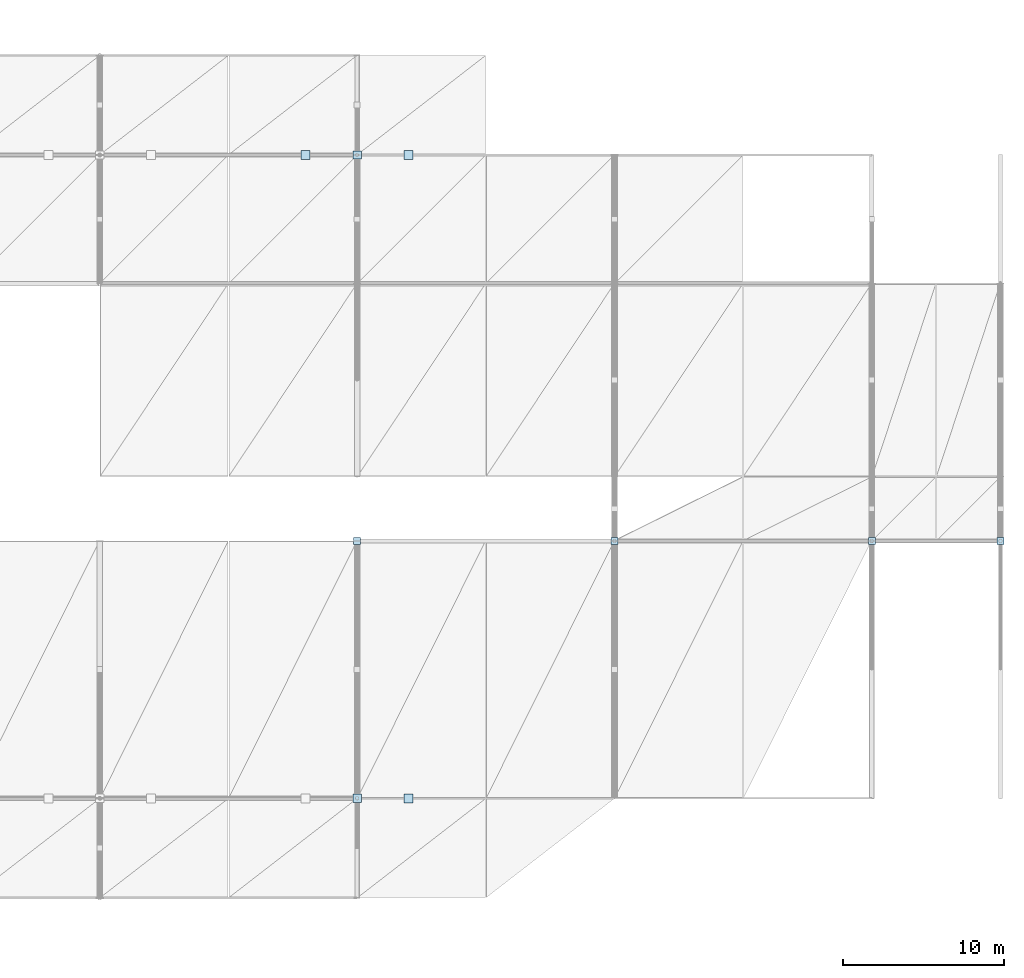
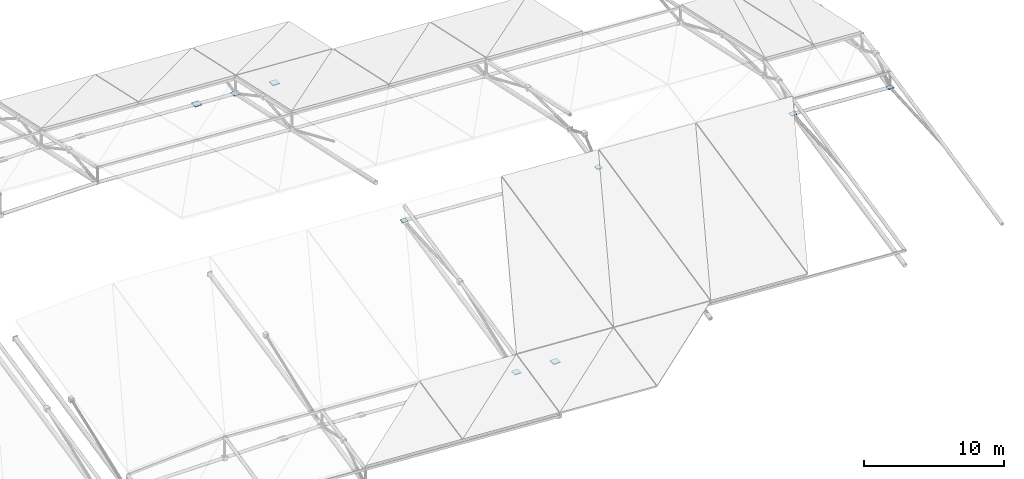
# One storey, part 43 of 67: 9 plates.
"""IFC4 building model written with IfcOpenShell, lengths in metres."""

from ifc_helpers import new_model, si_unit, direction, frame, origin, origin_2d, place, context, subcontext, project, spatial, rectangle, extrude, material, layer, layer_set, type_object, element, save


model = new_model("IFC4")

# Units and contexts
model_context = context("Model", 3, precision=1e-05, world=origin(), true_north=direction((0.0, 1.0)))
body_context = subcontext(model_context, "Body", "Model", "MODEL_VIEW")
ifc_project = project(units=[si_unit("LENGTHUNIT", "METRE"), si_unit("AREAUNIT", "SQUARE_METRE"), si_unit("VOLUMEUNIT", "CUBIC_METRE"), si_unit("PLANEANGLEUNIT", "RADIAN"), si_unit("MASSUNIT", "GRAM", prefix="KILO")], contexts=[model_context])

# Site, building, storey
site_placement = place(None, origin())
site = spatial("IfcSite", under=ifc_project, at=site_placement, CompositionType="ELEMENT")
building_placement = place(site_placement, origin())
building = spatial("IfcBuilding", under=site, at=building_placement, Name="Drelvath Fold Interchange", CompositionType="ELEMENT")
storey_placement = place(building_placement, frame((0.0, 0.0, 15.60009765625)))
storey = spatial("IfcBuildingStorey", under=building, at=storey_placement, Name="L03", CompositionType="ELEMENT", Elevation=15.60009765625)

# Plates
ifc_material = material(Name="Steel ASTM A572 Grade 50", Category="steel")
ifc_layer_1 = layer(ifc_material, 0.080078125, Name="Steel ASTM A572 Grade 50")
ifc_layer_set_1 = layer_set([ifc_layer_1], Name="Steel ASTM A572 Grade 50")
plate_type_1 = type_object("IfcPlateType", Name="SN-01", PredefinedType="USERDEFINED", material=ifc_layer_set_1)
for number, where, z_axis, x_axis, name in (
    (1, (134.0, 27.0, 0.136962890625), (0.0, 0.0, 1.0), (1.0, 0.0, 0.0), "Space frame column bearing node SN-01"),
    (2, (134.0, 67.0, 0.136962890625), (0.0, 0.0, 1.0), (1.0, 0.0, 0.0), "Space frame column bearing node SN-01"),
):
    element("IfcPlate", number, at=place(storey_placement, frame(where, z_axis=z_axis, x_axis=x_axis)), inside=storey, type_object=plate_type_1, Name=name, ObjectType="GUSSET PLATE", PredefinedType="USERDEFINED", context=body_context, shape_type="SweptSolid", body=[
        extrude(rectangle(XDim=0.52001953125, YDim=0.52001953125, at=origin_2d()), origin(), (0.0, 0.0, 1.0), 0.080078125),
    ])
ifc_layer_2 = layer(ifc_material, 0.06005859375, Name="Steel ASTM A572 Grade 50")
ifc_layer_set_2 = layer_set([ifc_layer_2], Name="Steel ASTM A572 Grade 50")
plate_type_2 = type_object("IfcPlateType", Name="SN-02", PredefinedType="USERDEFINED", material=ifc_layer_set_2)
for number, where, z_axis, x_axis, name in (
    (3, (134.0, 43.0, 3.634765625), (0.0, 0.0, 1.0), (1.0, 0.0, 0.0), "Space frame spine node SN-02"),
    (4, (150.0, 43.0, 2.671875), (0.0, 0.0, 1.0), (1.0, 0.0, 0.0), "Space frame spine node SN-02"),
    (5, (166.0, 43.0, 1.7099609375), (0.0, 0.0, 1.0), (1.0, 0.0, 0.0), "Space frame spine node SN-02"),
    (6, (174.0, 43.0, 1.228759765625), (0.0, 0.0, 1.0), (1.0, 0.0, 0.0), "Space frame spine node SN-02"),
):
    element("IfcPlate", number, at=place(storey_placement, frame(where, z_axis=z_axis, x_axis=x_axis)), inside=storey, type_object=plate_type_2, Name=name, ObjectType="GUSSET PLATE", PredefinedType="USERDEFINED", context=body_context, shape_type="SweptSolid", body=[
        extrude(rectangle(XDim=0.43994140625, YDim=0.43994140625, at=origin_2d()), origin(), (0.0, 0.0, 1.0), 0.06005859375),
    ])
ifc_layer_3 = layer(ifc_material, 0.070068359375, Name="Steel ASTM A572 Grade 50")
ifc_layer_set_3 = layer_set([ifc_layer_3], Name="Steel ASTM A572 Grade 50")
plate_type_3 = type_object("IfcPlateType", Name="VN-02", PredefinedType="USERDEFINED", material=ifc_layer_set_3)
for number, where, z_axis, x_axis, name in (
    (7, (137.199951171875, 27.0, -0.05322265625), (0.0, 0.0, 1.0), (1.0, 0.0, 0.0), "Canopy V-strut head gusset VN-02"),
    (8, (130.800048828125, 67.0, 0.33203125), (0.0, 0.0, 1.0), (1.0, 0.0, 0.0), "Canopy V-strut head gusset VN-02"),
    (9, (137.199951171875, 67.0, -0.05322265625), (0.0, 0.0, 1.0), (1.0, 0.0, 0.0), "Canopy V-strut head gusset VN-02"),
):
    element("IfcPlate", number, at=place(storey_placement, frame(where, z_axis=z_axis, x_axis=x_axis)), inside=storey, type_object=plate_type_3, Name=name, ObjectType="GUSSET PLATE", PredefinedType="USERDEFINED", context=body_context, shape_type="SweptSolid", body=[
        extrude(rectangle(XDim=0.56005859375, YDim=0.56005859375, at=origin_2d()), origin(), (0.0, 0.0, 1.0), 0.070068359375),
    ])

save(model, "model.ifc")
